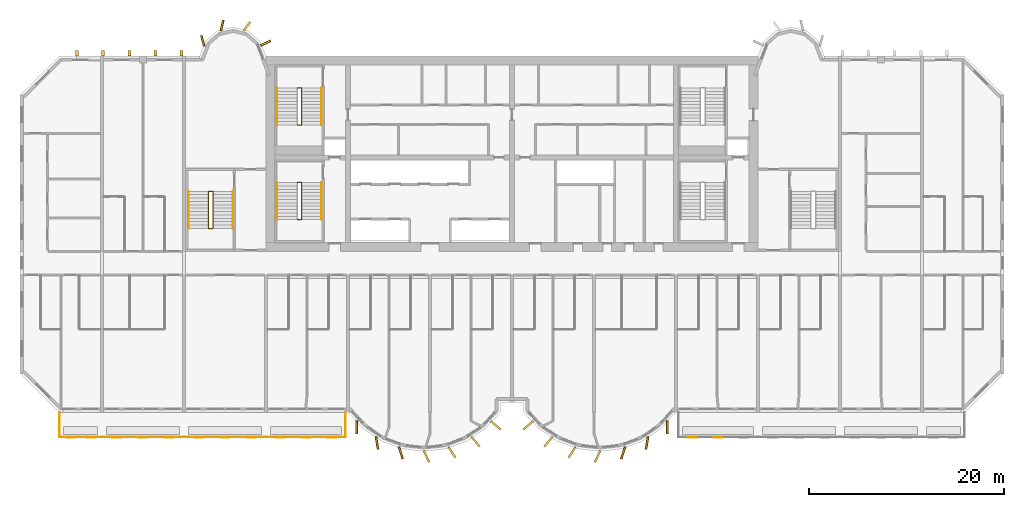
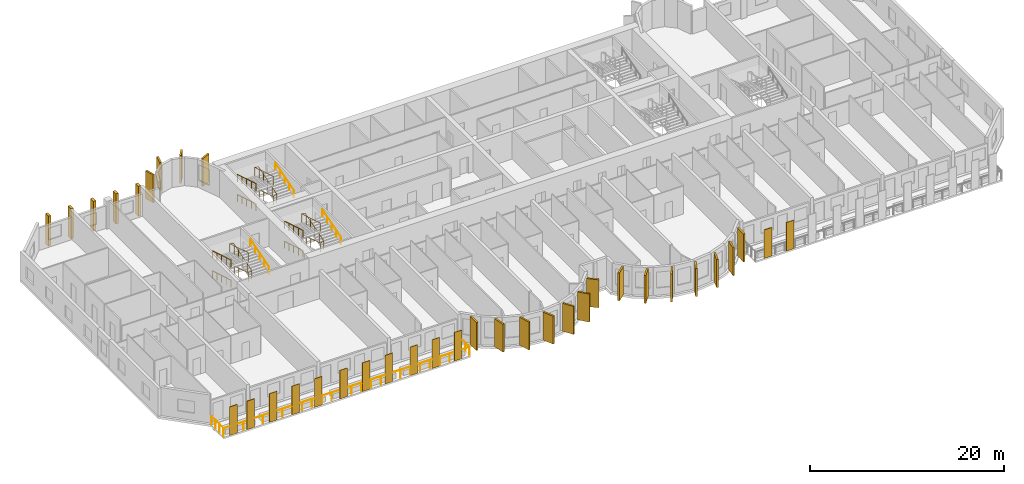
# One storey, part 13 of 15: 36 coverings, 13 railings.
"""IFC4 building model written with IfcOpenShell, lengths in metres."""

from ifc_helpers import new_model, si_unit, direction, frame, origin, origin_2d, place, context, subcontext, project, spatial, rectangle, circle, extrude, source, transform, mapped, material, layer, layer_set, material_profile, profile_set, type_object, element, save


model = new_model("IFC4")

# Units and contexts
model_context = context("Model", 3, precision=1e-05, world=origin(), true_north=direction((0.0, 1.0)))
body_context = subcontext(model_context, "Body", "Model", "MODEL_VIEW")
ifc_project = project(units=[si_unit("LENGTHUNIT", "METRE"), si_unit("AREAUNIT", "SQUARE_METRE"), si_unit("VOLUMEUNIT", "CUBIC_METRE"), si_unit("PLANEANGLEUNIT", "RADIAN"), si_unit("MASSUNIT", "GRAM", prefix="KILO")], contexts=[model_context])

# Site, building, storey
site_placement = place(None, origin())
site = spatial("IfcSite", under=ifc_project, at=site_placement, CompositionType="ELEMENT")
building_placement = place(site_placement, origin())
building = spatial("IfcBuilding", under=site, at=building_placement, Name="Vanashikhar Sky Hotel", CompositionType="ELEMENT")
storey_placement = place(building_placement, frame((0.0, 0.0, 95.199951171875)))
storey = spatial("IfcBuildingStorey", under=building, at=storey_placement, Name="L22", CompositionType="ELEMENT", Elevation=95.199951171875)

# Railing
ifc_material_1 = material(Name="Stainless steel 316", Category="steel")
railing_type_1 = type_object("IfcRailingType", Name="Balcony guard 1100", PredefinedType="GUARDRAIL", material=ifc_material_1)
shared_shape_1 = source(origin(), body_context, "Body", "SweptSolid", [
    extrude(circle(Radius=0.02392578125, at=origin_2d()), frame((0.0, 0.0, 1.076171875), z_axis=(0.0, -1.0, 0.0), x_axis=(1.0, 0.0, 0.0)), (0.0, 0.0, 1.0), 2.5),
    extrude(circle(Radius=0.02392578125, at=origin_2d()), frame((0.0, -2.5, 1.076171875), z_axis=(1.0, 0.0, 0.0), x_axis=(0.0, 1.0, 0.0)), (0.0, 0.0, 1.0), 29.280029296875),
    extrude(circle(Radius=0.02392578125, at=origin_2d()), frame((29.280029296875, -2.5, 1.076171875), z_axis=(0.0, 1.0, 0.0), x_axis=(-1.0, 0.0, 0.0)), (0.0, 0.0, 1.0), 2.5),
    extrude(circle(Radius=0.02099609375, at=origin_2d()), origin(), (0.0, 0.0, 1.0), 1.052001953125),
    extrude(circle(Radius=0.02099609375, at=origin_2d()), frame((0.0, -0.833251953125, 0.0)), (0.0, 0.0, 1.0), 1.052001953125),
    extrude(circle(Radius=0.02099609375, at=origin_2d()), frame((0.0, -1.666748046875, 0.0)), (0.0, 0.0, 1.0), 1.052001953125),
    extrude(circle(Radius=0.02099609375, at=origin_2d()), frame((0.0, -2.5, 0.0)), (0.0, 0.0, 1.0), 1.052001953125),
    extrude(circle(Radius=0.02099609375, at=origin_2d()), frame((1.171142578125, -2.5, 0.0)), (0.0, 0.0, 1.0), 1.052001953125),
    extrude(circle(Radius=0.02099609375, at=origin_2d()), frame((2.34228515625, -2.5, 0.0)), (0.0, 0.0, 1.0), 1.052001953125),
    extrude(circle(Radius=0.02099609375, at=origin_2d()), frame((3.513671875, -2.5, 0.0)), (0.0, 0.0, 1.0), 1.052001953125),
    extrude(circle(Radius=0.02099609375, at=origin_2d()), frame((4.684814453125, -2.5, 0.0)), (0.0, 0.0, 1.0), 1.052001953125),
    extrude(circle(Radius=0.02099609375, at=origin_2d()), frame((5.85595703125, -2.5, 0.0)), (0.0, 0.0, 1.0), 1.052001953125),
    extrude(circle(Radius=0.02099609375, at=origin_2d()), frame((7.027099609375, -2.5, 0.0)), (0.0, 0.0, 1.0), 1.052001953125),
    extrude(circle(Radius=0.02099609375, at=origin_2d()), frame((8.198486328125, -2.5, 0.0)), (0.0, 0.0, 1.0), 1.052001953125),
    extrude(circle(Radius=0.02099609375, at=origin_2d()), frame((9.36962890625, -2.5, 0.0)), (0.0, 0.0, 1.0), 1.052001953125),
    extrude(circle(Radius=0.02099609375, at=origin_2d()), frame((10.540771484375, -2.5, 0.0)), (0.0, 0.0, 1.0), 1.052001953125),
    extrude(circle(Radius=0.02099609375, at=origin_2d()), frame((11.7119140625, -2.5, 0.0)), (0.0, 0.0, 1.0), 1.052001953125),
    extrude(circle(Radius=0.02099609375, at=origin_2d()), frame((12.88330078125, -2.5, 0.0)), (0.0, 0.0, 1.0), 1.052001953125),
    extrude(circle(Radius=0.02099609375, at=origin_2d()), frame((14.054443359375, -2.5, 0.0)), (0.0, 0.0, 1.0), 1.052001953125),
    extrude(circle(Radius=0.02099609375, at=origin_2d()), frame((15.2255859375, -2.5, 0.0)), (0.0, 0.0, 1.0), 1.052001953125),
    extrude(circle(Radius=0.02099609375, at=origin_2d()), frame((16.396728515625, -2.5, 0.0)), (0.0, 0.0, 1.0), 1.052001953125),
    extrude(circle(Radius=0.02099609375, at=origin_2d()), frame((17.568115234375, -2.5, 0.0)), (0.0, 0.0, 1.0), 1.052001953125),
    extrude(circle(Radius=0.02099609375, at=origin_2d()), frame((18.7392578125, -2.5, 0.0)), (0.0, 0.0, 1.0), 1.052001953125),
    extrude(circle(Radius=0.02099609375, at=origin_2d()), frame((19.910400390625, -2.5, 0.0)), (0.0, 0.0, 1.0), 1.052001953125),
    extrude(circle(Radius=0.02099609375, at=origin_2d()), frame((21.08154296875, -2.5, 0.0)), (0.0, 0.0, 1.0), 1.052001953125),
    extrude(circle(Radius=0.02099609375, at=origin_2d()), frame((22.2529296875, -2.5, 0.0)), (0.0, 0.0, 1.0), 1.052001953125),
    extrude(circle(Radius=0.02099609375, at=origin_2d()), frame((23.424072265625, -2.5, 0.0)), (0.0, 0.0, 1.0), 1.052001953125),
    extrude(circle(Radius=0.02099609375, at=origin_2d()), frame((24.59521484375, -2.5, 0.0)), (0.0, 0.0, 1.0), 1.052001953125),
    extrude(circle(Radius=0.02099609375, at=origin_2d()), frame((25.766357421875, -2.5, 0.0)), (0.0, 0.0, 1.0), 1.052001953125),
    extrude(circle(Radius=0.02099609375, at=origin_2d()), frame((26.937744140625, -2.5, 0.0)), (0.0, 0.0, 1.0), 1.052001953125),
    extrude(circle(Radius=0.02099609375, at=origin_2d()), frame((28.10888671875, -2.5, 0.0)), (0.0, 0.0, 1.0), 1.052001953125),
    extrude(circle(Radius=0.02099609375, at=origin_2d()), frame((29.280029296875, -2.5, 0.0)), (0.0, 0.0, 1.0), 1.052001953125),
    extrude(circle(Radius=0.02099609375, at=origin_2d()), frame((29.280029296875, -1.666748046875, 0.0)), (0.0, 0.0, 1.0), 1.052001953125),
    extrude(circle(Radius=0.02099609375, at=origin_2d()), frame((29.280029296875, -0.833251953125, 0.0)), (0.0, 0.0, 1.0), 1.052001953125),
    extrude(circle(Radius=0.02099609375, at=origin_2d()), frame((29.280029296875, 0.0, 0.0)), (0.0, 0.0, 1.0), 1.052001953125),
])
railing_1_placement = place(storey_placement, frame((4.06005859375, 5.5, -0.050048828125)))
element("IfcRailing", 1, at=railing_1_placement, inside=storey, type_object=railing_type_1, Name="Balcony guard", PredefinedType="GUARDRAIL", context=body_context, shape_type="MappedRepresentation", body=[
    mapped(shared_shape_1, transform((0.0, 0.0, 0.0), scale=1.0)),
])

# Coverings
ifc_material_2 = material(Name="Terracotta", Category="masonry")
ifc_layer = layer(ifc_material_2, 0.06005859375)
ifc_layer_set = layer_set([ifc_layer], Name="Terracotta baguette screen")
covering_type_1 = type_object("IfcCoveringType", Name="Terracotta baguette screen", PredefinedType="CLADDING", material=ifc_layer_set)
shared_shape_2 = source(origin(), body_context, "Body", "SweptSolid", [
    extrude(rectangle(XDim=0.89990234375, YDim=0.06005859375, at=origin_2d()), origin(), (0.0, 0.0, 1.0), 3.60009765625),
])
for number, where, z_axis, x_axis, name in (
    (2, (5.175048828125, 2.929931640625, -0.050048828125), (0.0, 0.0, 1.0), (1.0, 0.0, 0.0), "Terracotta screen"),
    (3, (7.22509765625, 2.929931640625, -0.050048828125), (0.0, 0.0, 1.0), (1.0, 0.0, 0.0), "Terracotta screen"),
    (4, (9.89990234375, 2.929931640625, -0.050048828125), (0.0, 0.0, 1.0), (1.0, 0.0, 0.0), "Terracotta screen"),
    (5, (12.60009765625, 2.929931640625, -0.050048828125), (0.0, 0.0, 1.0), (1.0, 0.0, 0.0), "Terracotta screen"),
    (6, (15.300048828125, 2.929931640625, -0.050048828125), (0.0, 0.0, 1.0), (1.0, 0.0, 0.0), "Terracotta screen"),
    (7, (18.300048828125, 2.929931640625, -0.050048828125), (0.0, 0.0, 1.0), (1.0, 0.0, 0.0), "Terracotta screen"),
    (8, (21.0, 2.929931640625, -0.050048828125), (0.0, 0.0, 1.0), (1.0, 0.0, 0.0), "Terracotta screen"),
    (9, (23.699951171875, 2.929931640625, -0.050048828125), (0.0, 0.0, 1.0), (1.0, 0.0, 0.0), "Terracotta screen"),
    (10, (26.666748046875, 2.929931640625, -0.050048828125), (0.0, 0.0, 1.0), (1.0, 0.0, 0.0), "Terracotta screen"),
    (11, (29.300048828125, 2.929931640625, -0.050048828125), (0.0, 0.0, 1.0), (1.0, 0.0, 0.0), "Terracotta screen"),
    (12, (31.933349609375, 2.929931640625, -0.050048828125), (0.0, 0.0, 1.0), (1.0, 0.0, 0.0), "Terracotta screen"),
    (13, (68.86669921875, 2.929931640625, -0.050048828125), (0.0, 0.0, 1.0), (1.0, 0.0, 0.0), "Terracotta screen"),
    (14, (71.5, 2.929931640625, -0.050048828125), (0.0, 0.0, 1.0), (1.0, 0.0, 0.0), "Terracotta screen"),
):
    element("IfcCovering", number, at=place(storey_placement, frame(where, z_axis=z_axis, x_axis=x_axis)), inside=storey, type_object=covering_type_1, Name=name, PredefinedType="CLADDING", context=body_context, shape_type="MappedRepresentation", body=[
        mapped(shared_shape_2, transform((0.0, 0.0, 0.0), scale=1.0)),
    ])
ifc_material_3 = material(Name="Concrete M60 dark", Category="concrete")
ifc_material_profile_1 = material_profile(ifc_material_3, rectangle(XDim=1.300048828125, YDim=0.199951171875, at=origin_2d()))
ifc_profile_set_1 = profile_set([ifc_material_profile_1], Name="Fin 1300 x 200")
covering_type_2 = type_object("IfcCoveringType", Name="Fin 1300 x 200", PredefinedType="CLADDING", material=ifc_profile_set_1)
shared_shape_3 = source(origin(), body_context, "Body", "SweptSolid", [
    extrude(rectangle(XDim=1.300048828125, YDim=0.199951171875, at=origin_2d()), origin(), (0.0, 0.0, 1.0), 3.52001953125),
])
for number, where, z_axis, x_axis, name in (
    (15, (34.482421875, 3.992919921875, 0.0), (0.0, 0.0, 1.0), (0.011588726826, -0.999932848451, 0.0), "Fin F1-1"),
    (16, (36.572509765625, 2.3779296875, 0.0), (0.0, 0.0, 1.0), (0.16989991575, -0.985461322746, 0.0), "Fin F1-2"),
    (17, (39.00830078125, 1.35693359375, 0.0), (0.0, 0.0, 1.0), (0.303966551867, -0.952682704444, 0.0), "Fin F1-3"),
    (18, (41.63232421875, 1.00146484375, 0.0), (0.0, 0.0, 1.0), (0.422618261741, -0.906307787037, 0.0), "Fin F1-4"),
    (19, (44.251953125, 1.416015625, 0.0), (0.0, 0.0, 1.0), (0.534411358496, -0.845224526331, 0.0), "Fin F1-5"),
    (20, (46.676025390625, 2.5, 0.0), (0.0, 0.0, 1.0), (0.645697609467, -0.763593214433, 0.0), "Fin F1-6"),
    (21, (48.7412109375, 4.1845703125, 0.0), (0.0, 0.0, 1.0), (0.758543912032, -0.65162192529, 0.0), "Fin F1-7"),
    (22, (52.058837890625, 4.1845703125, 0.0), (0.0, 0.0, 1.0), (-0.758543912032, -0.65162192529, 0.0), "Fin F2-1"),
    (23, (54.123779296875, 2.5, 0.0), (0.0, 0.0, 1.0), (-0.645697609467, -0.763593214433, 0.0), "Fin F2-2"),
    (24, (56.547119140625, 1.416015625, 0.0), (0.0, 0.0, 1.0), (-0.534411358496, -0.845224526331, 0.0), "Fin F2-3"),
    (25, (59.16748046875, 1.00146484375, 0.0), (0.0, 0.0, 1.0), (-0.422618261741, -0.906307787037, 0.0), "Fin F2-4"),
    (26, (61.790771484375, 1.35693359375, 0.0), (0.0, 0.0, 1.0), (-0.303966551867, -0.952682704444, 0.0), "Fin F2-5"),
    (27, (64.2275390625, 2.3779296875, 0.0), (0.0, 0.0, 1.0), (-0.16989991575, -0.985461322746, 0.0), "Fin F2-6"),
    (28, (66.317626953125, 3.992919921875, 0.0), (0.0, 0.0, 1.0), (-0.011588726826, -0.999932848451, 0.0), "Fin F2-7"),
):
    element("IfcCovering", number, at=place(storey_placement, frame(where, z_axis=z_axis, x_axis=x_axis)), inside=storey, type_object=covering_type_2, Name=name, PredefinedType="CLADDING", context=body_context, shape_type="MappedRepresentation", body=[
        mapped(shared_shape_3, transform((0.0, 0.0, 0.0), scale=1.0)),
    ])
ifc_material_profile_2 = material_profile(ifc_material_3, rectangle(XDim=1.10009765625, YDim=0.199951171875, at=origin_2d()))
ifc_profile_set_2 = profile_set([ifc_material_profile_2], Name="Rear lobe fin 1100 x 200")
covering_type_3 = type_object("IfcCoveringType", Name="Rear lobe fin 1100 x 200", PredefinedType="CLADDING", material=ifc_profile_set_2)
shared_shape_4 = source(origin(), body_context, "Body", "SweptSolid", [
    extrude(rectangle(XDim=1.10009765625, YDim=0.199951171875, at=origin_2d()), origin(), (0.0, 0.0, 1.0), 3.52001953125),
])
for number, where, z_axis, x_axis, name in (
    (29, (18.720703125, 43.580078125, 0.0), (0.0, 0.0, 1.0), (-0.262711264409, 0.964874495234, 0.0), "Fin R1-1"),
    (30, (20.710205078125, 45.1455078125, 0.0), (0.0, 0.0, 1.0), (0.224644935864, 0.974440687159, 0.0), "Fin R1-2"),
    (31, (23.261962890625, 45.06640625, 0.0), (0.0, 0.0, 1.0), (0.602065892195, 0.798446404874, 0.0), "Fin R1-3"),
    (32, (25.169677734375, 43.33447265625, 0.0), (0.0, 0.0, 1.0), (0.908004291068, 0.418960866193, 0.0), "Fin R1-4"),
):
    element("IfcCovering", number, at=place(storey_placement, frame(where, z_axis=z_axis, x_axis=x_axis)), inside=storey, type_object=covering_type_3, Name=name, PredefinedType="CLADDING", context=body_context, shape_type="MappedRepresentation", body=[
        mapped(shared_shape_4, transform((0.0, 0.0, 0.0), scale=1.0)),
    ])
ifc_material_profile_3 = material_profile(ifc_material_3, rectangle(XDim=0.60009765625, YDim=0.300048828125, at=origin_2d()))
ifc_profile_set_3 = profile_set([ifc_material_profile_3], Name="Rear rib 600 x 300")
covering_type_4 = type_object("IfcCoveringType", Name="Rear rib 600 x 300", PredefinedType="CLADDING", material=ifc_profile_set_3)
shared_shape_5 = source(origin(), body_context, "Body", "SweptSolid", [
    extrude(rectangle(XDim=0.60009765625, YDim=0.300048828125, at=origin_2d()), origin(), (0.0, 0.0, 1.0), 3.800048828125),
])
for number, where, z_axis, x_axis, name in (
    (33, (5.840087890625, 42.300048828125, -0.280029296875), (0.0, 0.0, 1.0), (0.0, 1.0, 0.0), "Rear rib"),
    (34, (8.52001953125, 42.300048828125, -0.280029296875), (0.0, 0.0, 1.0), (0.0, 1.0, 0.0), "Rear rib"),
    (35, (11.199951171875, 42.300048828125, -0.280029296875), (0.0, 0.0, 1.0), (0.0, 1.0, 0.0), "Rear rib"),
    (36, (13.8798828125, 42.300048828125, -0.280029296875), (0.0, 0.0, 1.0), (0.0, 1.0, 0.0), "Rear rib"),
    (37, (16.56005859375, 42.300048828125, -0.280029296875), (0.0, 0.0, 1.0), (0.0, 1.0, 0.0), "Rear rib"),
):
    element("IfcCovering", number, at=place(storey_placement, frame(where, z_axis=z_axis, x_axis=x_axis)), inside=storey, type_object=covering_type_4, Name=name, PredefinedType="CLADDING", context=body_context, shape_type="MappedRepresentation", body=[
        mapped(shared_shape_5, transform((0.0, 0.0, 0.0), scale=1.0)),
    ])

# Railings
ifc_material_4 = material(Name="Steel S355", Category="steel")
railing_type_2 = type_object("IfcRailingType", Name="Stair handrail 900", PredefinedType="HANDRAIL", material=ifc_material_4)
shared_shape_6 = source(origin(), body_context, "Body", "SweptSolid", [
    extrude(circle(Radius=0.02392578125, at=origin_2d()), frame((0.0, 0.0, 0.8759765625), z_axis=(0.0, 0.95635109408, 0.292220096591), x_axis=(-1.0, 0.0, 0.0)), (0.0, 0.0, 1.0), 3.973388671875),
    extrude(circle(Radius=0.02099609375, at=origin_2d()), origin(), (0.0, 0.0, 1.0), 0.851806640625),
    extrude(circle(Radius=0.02099609375, at=origin_2d()), frame((0.0, 0.949951171875, 0.290283203125)), (0.0, 0.0, 1.0), 0.851806640625),
    extrude(circle(Radius=0.02099609375, at=origin_2d()), frame((0.0, 1.89990234375, 0.58056640625)), (0.0, 0.0, 1.0), 0.851806640625),
    extrude(circle(Radius=0.02099609375, at=origin_2d()), frame((0.0, 2.85009765625, 0.870849609375)), (0.0, 0.0, 1.0), 0.851806640625),
    extrude(circle(Radius=0.02099609375, at=origin_2d()), frame((0.0, 3.800048828125, 1.1611328125)), (0.0, 0.0, 1.0), 0.851806640625),
])
for number, where, name in (
    (38, (30.89990234375, 25.25, 1.372314453125), "Exit stair 1 handrail"),
    (39, (30.89990234375, 34.949951171875, 1.372314453125), "Exit stair 5 handrail"),
):
    element("IfcRailing", number, at=place(storey_placement, frame(where)), inside=storey, type_object=railing_type_2, Name=name, PredefinedType="HANDRAIL", context=body_context, shape_type="MappedRepresentation", body=[
        mapped(shared_shape_6, transform((0.0, 0.0, 0.0), scale=1.0)),
    ])
shared_shape_7 = source(origin(), body_context, "Body", "SweptSolid", [
    extrude(circle(Radius=0.02392578125, at=origin_2d()), frame((0.0, 0.0, 0.8759765625), z_axis=(0.0, -0.95635109408, 0.292220096591), x_axis=(1.0, 0.0, 0.0)), (0.0, 0.0, 1.0), 3.973388671875),
    extrude(circle(Radius=0.02099609375, at=origin_2d()), origin(), (0.0, 0.0, 1.0), 0.851806640625),
    extrude(circle(Radius=0.02099609375, at=origin_2d()), frame((0.0, -0.949951171875, 0.290283203125)), (0.0, 0.0, 1.0), 0.851806640625),
    extrude(circle(Radius=0.02099609375, at=origin_2d()), frame((0.0, -1.89990234375, 0.58056640625)), (0.0, 0.0, 1.0), 0.851806640625),
    extrude(circle(Radius=0.02099609375, at=origin_2d()), frame((0.0, -2.85009765625, 0.870849609375)), (0.0, 0.0, 1.0), 0.851806640625),
    extrude(circle(Radius=0.02099609375, at=origin_2d()), frame((0.0, -3.800048828125, 1.1611328125)), (0.0, 0.0, 1.0), 0.851806640625),
])
for number, where, name in (
    (40, (26.35009765625, 29.050048828125, 2.638916015625), "Exit stair 1 handrail"),
    (41, (26.35009765625, 38.75, 2.638916015625), "Exit stair 5 handrail"),
):
    element("IfcRailing", number, at=place(storey_placement, frame(where)), inside=storey, type_object=railing_type_2, Name=name, PredefinedType="HANDRAIL", context=body_context, shape_type="MappedRepresentation", body=[
        mapped(shared_shape_7, transform((0.0, 0.0, 0.0), scale=1.0)),
    ])
railing_type_3 = type_object("IfcRailingType", Name="Stair guard 1100", PredefinedType="GUARDRAIL", material=ifc_material_4)
shared_shape_8 = source(origin(), body_context, "Body", "SweptSolid", [
    extrude(circle(Radius=0.02392578125, at=origin_2d()), frame((0.0, 0.0, 1.076171875), z_axis=(-0.973520925263, 0.0, 0.228597917917), x_axis=(0.0, -1.0, 0.0)), (0.0, 0.0, 1.0), 0.46240234375),
    extrude(circle(Radius=0.02392578125, at=origin_2d()), frame((-0.4501953125, 0.0, 1.181640625), z_axis=(0.0, -0.956368263741, 0.292163899395), x_axis=(1.0, 0.0, 0.0)), (0.0, 0.0, 1.0), 3.973388671875),
    extrude(circle(Radius=0.02392578125, at=origin_2d()), frame((-0.4501953125, -3.800048828125, 2.3427734375), z_axis=(0.973520925263, 0.0, 0.228597917917), x_axis=(0.0, 1.0, 0.0)), (0.0, 0.0, 1.0), 0.46240234375),
    extrude(circle(Radius=0.02392578125, at=origin_2d()), frame((0.0, -3.800048828125, 2.4482421875), z_axis=(0.0, 0.95635109408, 0.292220096591), x_axis=(-1.0, 0.0, 0.0)), (0.0, 0.0, 1.0), 3.973388671875),
    extrude(circle(Radius=0.02392578125, at=origin_2d()), frame((0.0, 0.0, 3.609375), z_axis=(-0.973638301096, 0.0, 0.228097476179), x_axis=(0.0, -1.0, 0.0)), (0.0, 0.0, 1.0), 0.46240234375),
    extrude(circle(Radius=0.02392578125, at=origin_2d()), frame((-0.4501953125, 0.0, 3.71484375), z_axis=(0.0, -0.95635109408, 0.292220096591), x_axis=(1.0, 0.0, 0.0)), (0.0, 0.0, 1.0), 3.973388671875),
    extrude(circle(Radius=0.02099609375, at=origin_2d()), origin(), (0.0, 0.0, 1.0), 1.052001953125),
    extrude(circle(Radius=0.02099609375, at=origin_2d()), frame((-0.4501953125, 0.0, 0.105712890625)), (0.0, 0.0, 1.0), 1.052001953125),
    extrude(circle(Radius=0.02099609375, at=origin_2d()), frame((-0.4501953125, -0.949951171875, 0.39599609375)), (0.0, 0.0, 1.0), 1.052001953125),
    extrude(circle(Radius=0.02099609375, at=origin_2d()), frame((-0.4501953125, -1.89990234375, 0.68603515625)), (0.0, 0.0, 1.0), 1.052001953125),
    extrude(circle(Radius=0.02099609375, at=origin_2d()), frame((-0.4501953125, -2.85009765625, 0.976318359375)), (0.0, 0.0, 1.0), 1.052001953125),
    extrude(circle(Radius=0.02099609375, at=origin_2d()), frame((-0.4501953125, -3.800048828125, 1.2666015625)), (0.0, 0.0, 1.0), 1.052001953125),
    extrude(circle(Radius=0.02099609375, at=origin_2d()), frame((0.0, -3.800048828125, 1.372314453125)), (0.0, 0.0, 1.0), 1.052001953125),
    extrude(circle(Radius=0.02099609375, at=origin_2d()), frame((0.0, -2.85009765625, 1.66259765625)), (0.0, 0.0, 1.0), 1.052001953125),
    extrude(circle(Radius=0.02099609375, at=origin_2d()), frame((0.0, -1.89990234375, 1.952880859375)), (0.0, 0.0, 1.0), 1.052001953125),
    extrude(circle(Radius=0.02099609375, at=origin_2d()), frame((0.0, -0.949951171875, 2.2431640625)), (0.0, 0.0, 1.0), 1.052001953125),
    extrude(circle(Radius=0.02099609375, at=origin_2d()), frame((0.0, 0.0, 2.533447265625)), (0.0, 0.0, 1.0), 1.052001953125),
    extrude(circle(Radius=0.02099609375, at=origin_2d()), frame((-0.4501953125, 0.0, 2.638916015625)), (0.0, 0.0, 1.0), 1.052001953125),
    extrude(circle(Radius=0.02099609375, at=origin_2d()), frame((-0.4501953125, -0.949951171875, 2.92919921875)), (0.0, 0.0, 1.0), 1.052001953125),
    extrude(circle(Radius=0.02099609375, at=origin_2d()), frame((-0.4501953125, -1.89990234375, 3.219482421875)), (0.0, 0.0, 1.0), 1.052001953125),
    extrude(circle(Radius=0.02099609375, at=origin_2d()), frame((-0.4501953125, -2.85009765625, 3.509765625)), (0.0, 0.0, 1.0), 1.052001953125),
    extrude(circle(Radius=0.02099609375, at=origin_2d()), frame((-0.4501953125, -3.800048828125, 3.800048828125)), (0.0, 0.0, 1.0), 1.052001953125),
])
for number, where, name in (
    (42, (28.85009765625, 29.050048828125, 0.0), "Exit stair 1 guard"),
    (43, (28.85009765625, 38.75, 0.0), "Exit stair 5 guard"),
):
    element("IfcRailing", number, at=place(storey_placement, frame(where)), inside=storey, type_object=railing_type_3, Name=name, PredefinedType="GUARDRAIL", context=body_context, shape_type="MappedRepresentation", body=[
        mapped(shared_shape_8, transform((0.0, 0.0, 0.0), scale=1.0)),
    ])
shared_shape_9 = source(origin(), body_context, "Body", "SweptSolid", [
    extrude(circle(Radius=0.02392578125, at=origin_2d()), frame((0.0, 0.0, 0.8759765625), z_axis=(0.0, -0.956368263741, 0.292163899395), x_axis=(1.0, 0.0, 0.0)), (0.0, 0.0, 1.0), 3.973388671875),
    extrude(circle(Radius=0.02099609375, at=origin_2d()), origin(), (0.0, 0.0, 1.0), 0.851806640625),
    extrude(circle(Radius=0.02099609375, at=origin_2d()), frame((0.0, -0.949951171875, 0.290283203125)), (0.0, 0.0, 1.0), 0.851806640625),
    extrude(circle(Radius=0.02099609375, at=origin_2d()), frame((0.0, -1.89990234375, 0.58056640625)), (0.0, 0.0, 1.0), 0.851806640625),
    extrude(circle(Radius=0.02099609375, at=origin_2d()), frame((0.0, -2.85009765625, 0.87060546875)), (0.0, 0.0, 1.0), 0.851806640625),
    extrude(circle(Radius=0.02099609375, at=origin_2d()), frame((0.0, -3.800048828125, 1.160888671875)), (0.0, 0.0, 1.0), 0.851806640625),
])
for number, where, name in (
    (44, (26.35009765625, 29.050048828125, 0.105712890625), "Exit stair 1 handrail"),
    (45, (26.35009765625, 38.75, 0.105712890625), "Exit stair 5 handrail"),
):
    element("IfcRailing", number, at=place(storey_placement, frame(where)), inside=storey, type_object=railing_type_2, Name=name, PredefinedType="HANDRAIL", context=body_context, shape_type="MappedRepresentation", body=[
        mapped(shared_shape_9, transform((0.0, 0.0, 0.0), scale=1.0)),
    ])
shared_shape_10 = source(origin(), body_context, "Body", "SweptSolid", [
    extrude(circle(Radius=0.02392578125, at=origin_2d()), frame((0.0, 0.0, 0.8759765625), z_axis=(0.0, 0.956345846891, 0.292237268557), x_axis=(-1.0, 0.0, 0.0)), (0.0, 0.0, 1.0), 3.97314453125),
    extrude(circle(Radius=0.02099609375, at=origin_2d()), origin(), (0.0, 0.0, 1.0), 0.851806640625),
    extrude(circle(Radius=0.02099609375, at=origin_2d()), frame((0.0, 0.949951171875, 0.290283203125)), (0.0, 0.0, 1.0), 0.851806640625),
    extrude(circle(Radius=0.02099609375, at=origin_2d()), frame((0.0, 1.89990234375, 0.58056640625)), (0.0, 0.0, 1.0), 0.851806640625),
    extrude(circle(Radius=0.02099609375, at=origin_2d()), frame((0.0, 2.849853515625, 0.870849609375)), (0.0, 0.0, 1.0), 0.851806640625),
    extrude(circle(Radius=0.02099609375, at=origin_2d()), frame((0.0, 3.7998046875, 1.1611328125)), (0.0, 0.0, 1.0), 0.851806640625),
])
railing_2_placement = place(storey_placement, frame((21.800048828125, 24.35009765625, 1.372314453125)))
element("IfcRailing", 46, at=railing_2_placement, inside=storey, type_object=railing_type_2, Name="Exit stair 3 handrail", PredefinedType="HANDRAIL", context=body_context, shape_type="MappedRepresentation", body=[
    mapped(shared_shape_10, transform((0.0, 0.0, 0.0), scale=1.0)),
])
shared_shape_11 = source(origin(), body_context, "Body", "SweptSolid", [
    extrude(circle(Radius=0.02392578125, at=origin_2d()), frame((0.0, 0.0, 0.8759765625), z_axis=(0.0, -0.956345846891, 0.292237268557), x_axis=(1.0, 0.0, 0.0)), (0.0, 0.0, 1.0), 3.97314453125),
    extrude(circle(Radius=0.02099609375, at=origin_2d()), origin(), (0.0, 0.0, 1.0), 0.851806640625),
    extrude(circle(Radius=0.02099609375, at=origin_2d()), frame((0.0, -0.949951171875, 0.290283203125)), (0.0, 0.0, 1.0), 0.851806640625),
    extrude(circle(Radius=0.02099609375, at=origin_2d()), frame((0.0, -1.89990234375, 0.58056640625)), (0.0, 0.0, 1.0), 0.851806640625),
    extrude(circle(Radius=0.02099609375, at=origin_2d()), frame((0.0, -2.849853515625, 0.870849609375)), (0.0, 0.0, 1.0), 0.851806640625),
    extrude(circle(Radius=0.02099609375, at=origin_2d()), frame((0.0, -3.7998046875, 1.1611328125)), (0.0, 0.0, 1.0), 0.851806640625),
])
railing_3_placement = place(storey_placement, frame((17.25, 28.14990234375, 2.638916015625)))
element("IfcRailing", 47, at=railing_3_placement, inside=storey, type_object=railing_type_2, Name="Exit stair 3 handrail", PredefinedType="HANDRAIL", context=body_context, shape_type="MappedRepresentation", body=[
    mapped(shared_shape_11, transform((0.0, 0.0, 0.0), scale=1.0)),
])
shared_shape_12 = source(origin(), body_context, "Body", "SweptSolid", [
    extrude(circle(Radius=0.02392578125, at=origin_2d()), frame((0.0, 0.0, 1.076171875), z_axis=(-0.973493315427, 0.0, 0.228715466945), x_axis=(0.0, -1.0, 0.0)), (0.0, 0.0, 1.0), 0.462158203125),
    extrude(circle(Radius=0.02392578125, at=origin_2d()), frame((-0.449951171875, 0.0, 1.181640625), z_axis=(0.0, -0.956363018476, 0.292181068675), x_axis=(1.0, 0.0, 0.0)), (0.0, 0.0, 1.0), 3.97314453125),
    extrude(circle(Radius=0.02392578125, at=origin_2d()), frame((-0.449951171875, -3.7998046875, 2.3427734375), z_axis=(0.973493315427, 0.0, 0.228715466945), x_axis=(0.0, 1.0, 0.0)), (0.0, 0.0, 1.0), 0.462158203125),
    extrude(circle(Radius=0.02392578125, at=origin_2d()), frame((0.0, -3.7998046875, 2.4482421875), z_axis=(0.0, 0.956345846891, 0.292237268557), x_axis=(-1.0, 0.0, 0.0)), (0.0, 0.0, 1.0), 3.97314453125),
    extrude(circle(Radius=0.02392578125, at=origin_2d()), frame((0.0, 0.0, 3.609375), z_axis=(-0.973610808694, 0.0, 0.228214796178), x_axis=(0.0, -1.0, 0.0)), (0.0, 0.0, 1.0), 0.462158203125),
    extrude(circle(Radius=0.02392578125, at=origin_2d()), frame((-0.449951171875, 0.0, 3.71484375), z_axis=(0.0, -0.956345846891, 0.292237268557), x_axis=(1.0, 0.0, 0.0)), (0.0, 0.0, 1.0), 3.97314453125),
    extrude(circle(Radius=0.02099609375, at=origin_2d()), origin(), (0.0, 0.0, 1.0), 1.052001953125),
    extrude(circle(Radius=0.02099609375, at=origin_2d()), frame((-0.449951171875, 0.0, 0.105712890625)), (0.0, 0.0, 1.0), 1.052001953125),
    extrude(circle(Radius=0.02099609375, at=origin_2d()), frame((-0.449951171875, -0.949951171875, 0.39599609375)), (0.0, 0.0, 1.0), 1.052001953125),
    extrude(circle(Radius=0.02099609375, at=origin_2d()), frame((-0.449951171875, -1.89990234375, 0.68603515625)), (0.0, 0.0, 1.0), 1.052001953125),
    extrude(circle(Radius=0.02099609375, at=origin_2d()), frame((-0.449951171875, -2.849853515625, 0.976318359375)), (0.0, 0.0, 1.0), 1.052001953125),
    extrude(circle(Radius=0.02099609375, at=origin_2d()), frame((-0.449951171875, -3.7998046875, 1.2666015625)), (0.0, 0.0, 1.0), 1.052001953125),
    extrude(circle(Radius=0.02099609375, at=origin_2d()), frame((0.0, -3.7998046875, 1.372314453125)), (0.0, 0.0, 1.0), 1.052001953125),
    extrude(circle(Radius=0.02099609375, at=origin_2d()), frame((0.0, -2.849853515625, 1.66259765625)), (0.0, 0.0, 1.0), 1.052001953125),
    extrude(circle(Radius=0.02099609375, at=origin_2d()), frame((0.0, -1.89990234375, 1.952880859375)), (0.0, 0.0, 1.0), 1.052001953125),
    extrude(circle(Radius=0.02099609375, at=origin_2d()), frame((0.0, -0.949951171875, 2.2431640625)), (0.0, 0.0, 1.0), 1.052001953125),
    extrude(circle(Radius=0.02099609375, at=origin_2d()), frame((0.0, 0.0, 2.533447265625)), (0.0, 0.0, 1.0), 1.052001953125),
    extrude(circle(Radius=0.02099609375, at=origin_2d()), frame((-0.449951171875, 0.0, 2.638916015625)), (0.0, 0.0, 1.0), 1.052001953125),
    extrude(circle(Radius=0.02099609375, at=origin_2d()), frame((-0.449951171875, -0.949951171875, 2.92919921875)), (0.0, 0.0, 1.0), 1.052001953125),
    extrude(circle(Radius=0.02099609375, at=origin_2d()), frame((-0.449951171875, -1.89990234375, 3.219482421875)), (0.0, 0.0, 1.0), 1.052001953125),
    extrude(circle(Radius=0.02099609375, at=origin_2d()), frame((-0.449951171875, -2.849853515625, 3.509765625)), (0.0, 0.0, 1.0), 1.052001953125),
    extrude(circle(Radius=0.02099609375, at=origin_2d()), frame((-0.449951171875, -3.7998046875, 3.800048828125)), (0.0, 0.0, 1.0), 1.052001953125),
])
railing_4_placement = place(storey_placement, frame((19.75, 28.14990234375, 0.0)))
element("IfcRailing", 48, at=railing_4_placement, inside=storey, type_object=railing_type_3, Name="Exit stair 3 guard", PredefinedType="GUARDRAIL", context=body_context, shape_type="MappedRepresentation", body=[
    mapped(shared_shape_12, transform((0.0, 0.0, 0.0), scale=1.0)),
])
shared_shape_13 = source(origin(), body_context, "Body", "SweptSolid", [
    extrude(circle(Radius=0.02392578125, at=origin_2d()), frame((0.0, 0.0, 0.8759765625), z_axis=(0.0, -0.956363018476, 0.292181068675), x_axis=(1.0, 0.0, 0.0)), (0.0, 0.0, 1.0), 3.97314453125),
    extrude(circle(Radius=0.02099609375, at=origin_2d()), origin(), (0.0, 0.0, 1.0), 0.851806640625),
    extrude(circle(Radius=0.02099609375, at=origin_2d()), frame((0.0, -0.949951171875, 0.290283203125)), (0.0, 0.0, 1.0), 0.851806640625),
    extrude(circle(Radius=0.02099609375, at=origin_2d()), frame((0.0, -1.89990234375, 0.58056640625)), (0.0, 0.0, 1.0), 0.851806640625),
    extrude(circle(Radius=0.02099609375, at=origin_2d()), frame((0.0, -2.849853515625, 0.87060546875)), (0.0, 0.0, 1.0), 0.851806640625),
    extrude(circle(Radius=0.02099609375, at=origin_2d()), frame((0.0, -3.7998046875, 1.160888671875)), (0.0, 0.0, 1.0), 0.851806640625),
])
railing_5_placement = place(storey_placement, frame((17.25, 28.14990234375, 0.105712890625)))
element("IfcRailing", 49, at=railing_5_placement, inside=storey, type_object=railing_type_2, Name="Exit stair 3 handrail", PredefinedType="HANDRAIL", context=body_context, shape_type="MappedRepresentation", body=[
    mapped(shared_shape_13, transform((0.0, 0.0, 0.0), scale=1.0)),
])

save(model, "model.ifc")
